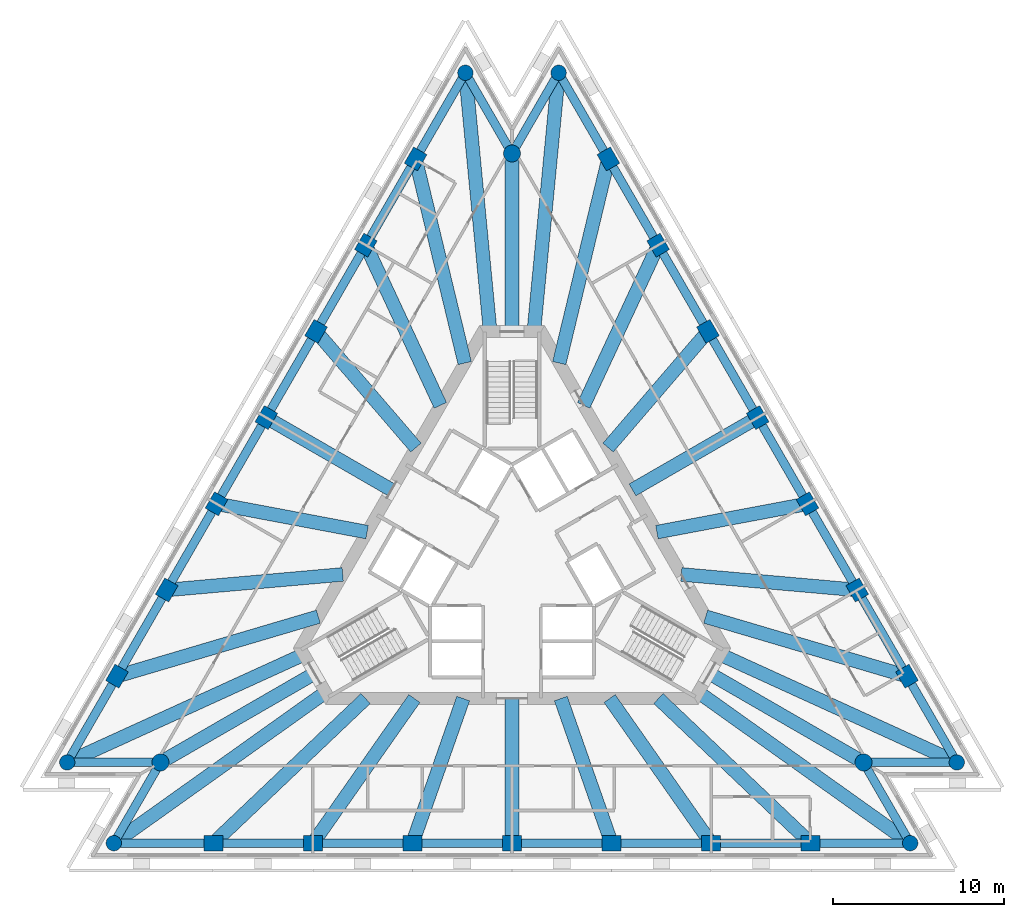
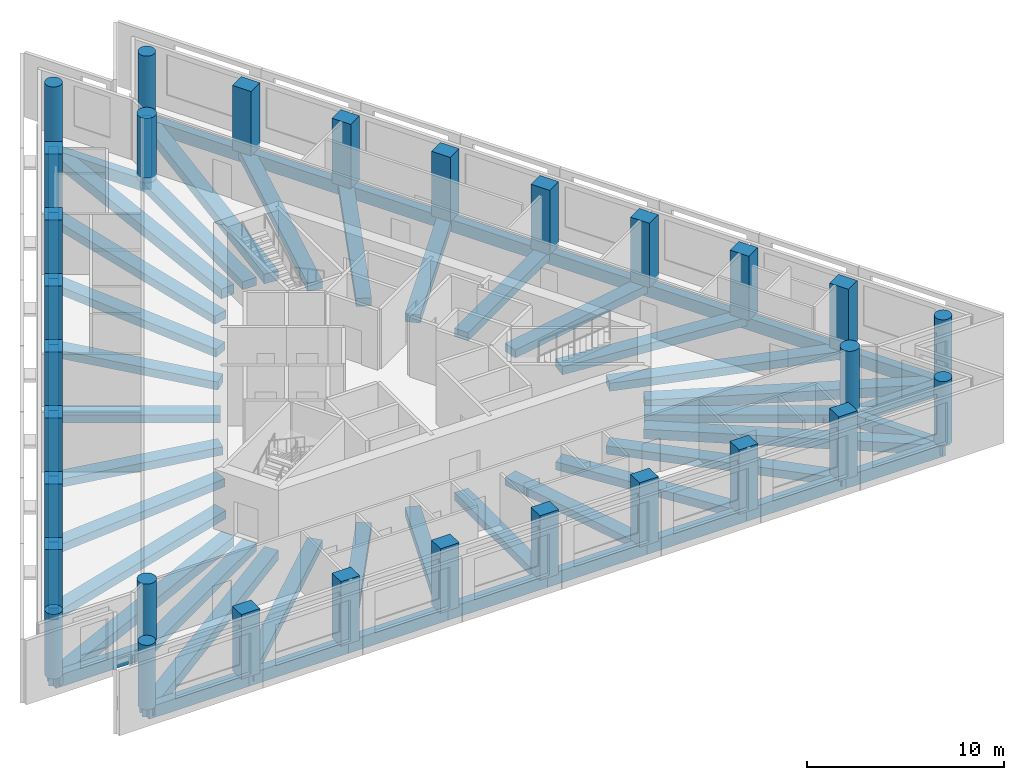
# One storey, part 1 of 10: 60 beams, 30 columns.
"""IFC4 building model written with IfcOpenShell, lengths in metres."""

from ifc_helpers import new_model, si_unit, direction, frame, origin, origin_2d, place, context, subcontext, project, spatial, rectangle, circle, extrude, material, material_profile, profile_set, type_object, element, save


model = new_model("IFC4")

# Units and contexts
model_context = context("Model", 3, precision=1e-05, world=origin(), true_north=direction((0.0, 1.0)))
body_context = subcontext(model_context, "Body", "Model", "MODEL_VIEW")
ifc_project = project(units=[si_unit("LENGTHUNIT", "METRE"), si_unit("AREAUNIT", "SQUARE_METRE"), si_unit("VOLUMEUNIT", "CUBIC_METRE"), si_unit("PLANEANGLEUNIT", "RADIAN"), si_unit("MASSUNIT", "GRAM", prefix="KILO")], contexts=[model_context])

# Site, building, storey
site_placement = place(None, origin())
site = spatial("IfcSite", under=ifc_project, at=site_placement, CompositionType="ELEMENT")
building_placement = place(site_placement, origin())
building = spatial("IfcBuilding", under=site, at=building_placement, Name="Triada Interchange Tower", CompositionType="ELEMENT")
storey_placement = place(building_placement, frame((0.0, 0.0, 243.300048828125)))
storey = spatial("IfcBuildingStorey", under=building, at=storey_placement, Name="L57", CompositionType="ELEMENT", Elevation=243.300048828125)

# Columns
ifc_material = material(Name="Concrete C50/60", Category="concrete")
ifc_material_profile_1 = material_profile(ifc_material, rectangle(XDim=1.10009765625, YDim=0.89990234375, at=origin_2d()), Name="RC 1100x900")
ifc_profile_set_1 = profile_set([ifc_material_profile_1], Name="Concrete C50/60")
column_type_1 = type_object("IfcColumnType", Name="Column C face RC 1100x900", PredefinedType="COLUMN", material=ifc_profile_set_1)
for number, where, z_axis, x_axis, name in (
    (1, (-5.64794921875, 23.466064453125, -0.300048828125), (0.0, 0.0, 1.0), (0.5, 0.866025403784, 0.0), "Column CC02 L57"),
    (2, (-8.56396484375, 18.4140625, -0.300048828125), (0.0, 0.0, 1.0), (0.5, 0.866025403784, 0.0), "Column CC03 L57"),
    (3, (-11.48095703125, 13.363037109375, -0.300048828125), (0.0, 0.0, 1.0), (0.5, 0.866025403784, 0.0), "Column CC04 L57"),
    (4, (-14.39697265625, 8.31201171875, -0.300048828125), (0.0, 0.0, 1.0), (0.5, 0.866025403784, 0.0), "Column CC05 L57"),
    (5, (-17.31298828125, 3.260986328125, -0.300048828125), (0.0, 0.0, 1.0), (0.5, 0.866025403784, 0.0), "Column CC06 L57"),
    (6, (-20.22998046875, -1.7900390625, -0.300048828125), (0.0, 0.0, 1.0), (0.5, 0.866025403784, 0.0), "Column CC07 L57"),
    (7, (-23.14599609375, -6.842041015625, -0.300048828125), (0.0, 0.0, 1.0), (0.5, 0.866025403784, 0.0), "Column CC08 L57"),
    (8, (-17.498046875, -16.6240234375, -0.300048828125), (0.0, 0.0, 1.0), (1.0, 0.0, 0.0), "Column CC11 L57"),
    (9, (-11.6650390625, -16.6240234375, -0.300048828125), (0.0, 0.0, 1.0), (1.0, 0.0, 0.0), "Column CC12 L57"),
    (10, (-5.83203125, -16.6240234375, -0.300048828125), (0.0, 0.0, 1.0), (1.0, 0.0, 0.0), "Column CC13 L57"),
    (11, (0.0, -16.6240234375, -0.300048828125), (0.0, 0.0, 1.0), (1.0, 0.0, 0.0), "Column CC14 L57"),
    (12, (5.83203125, -16.6240234375, -0.300048828125), (0.0, 0.0, 1.0), (1.0, 0.0, 0.0), "Column CC15 L57"),
    (13, (11.6650390625, -16.6240234375, -0.300048828125), (0.0, 0.0, 1.0), (1.0, 0.0, 0.0), "Column CC16 L57"),
    (14, (17.498046875, -16.6240234375, -0.300048828125), (0.0, 0.0, 1.0), (1.0, 0.0, 0.0), "Column CC17 L57"),
    (15, (23.14599609375, -6.842041015625, -0.300048828125), (0.0, 0.0, 1.0), (-0.5, 0.866025403784, 0.0), "Column CC20 L57"),
    (16, (20.22998046875, -1.791015625, -0.300048828125), (0.0, 0.0, 1.0), (-0.5, 0.866025403784, 0.0), "Column CC21 L57"),
    (17, (17.31298828125, 3.260986328125, -0.300048828125), (0.0, 0.0, 1.0), (-0.5, 0.866025403784, 0.0), "Column CC22 L57"),
    (18, (14.39697265625, 8.31201171875, -0.300048828125), (0.0, 0.0, 1.0), (-0.5, 0.866025403784, 0.0), "Column CC23 L57"),
    (19, (11.48095703125, 13.363037109375, -0.300048828125), (0.0, 0.0, 1.0), (-0.5, 0.866025403784, 0.0), "Column CC24 L57"),
    (20, (8.56396484375, 18.4140625, -0.300048828125), (0.0, 0.0, 1.0), (-0.5, 0.866025403784, 0.0), "Column CC25 L57"),
    (21, (5.64794921875, 23.466064453125, -0.300048828125), (0.0, 0.0, 1.0), (-0.5, 0.866025403784, 0.0), "Column CC26 L57"),
):
    element("IfcColumn", number, at=place(storey_placement, frame(where, z_axis=z_axis, x_axis=x_axis)), inside=storey, type_object=column_type_1, Name=name, PredefinedType="COLUMN", context=body_context, shape_type="SweptSolid", body=[
        extrude(rectangle(XDim=1.10009765625, YDim=0.89990234375, at=origin_2d()), origin(), (0.0, 0.0, 1.0), 4.0),
    ])
ifc_material_profile_2 = material_profile(ifc_material, circle(Radius=0.449951171875, at=origin_2d()), Name="RC D900")
ifc_profile_set_2 = profile_set([ifc_material_profile_2], Name="Concrete C50/60")
column_type_2 = type_object("IfcColumnType", Name="End column C RC D900", PredefinedType="COLUMN", material=ifc_profile_set_2)
for number, where, z_axis, x_axis, name in (
    (22, (-2.73193359375, 28.51708984375, -0.300048828125), (0.0, 0.0, 1.0), (0.5, 0.866025403784, 0.0), "Column CC01 L57"),
    (23, (-26.06201171875, -11.89306640625, -0.300048828125), (0.0, 0.0, 1.0), (0.5, 0.866025403784, 0.0), "Column CC09 L57"),
    (24, (-23.330078125, -16.6240234375, -0.300048828125), (0.0, 0.0, 1.0), (1.0, 0.0, 0.0), "Column CC10 L57"),
    (25, (23.330078125, -16.6240234375, -0.300048828125), (0.0, 0.0, 1.0), (1.0, 0.0, 0.0), "Column CC18 L57"),
    (26, (26.06201171875, -11.89306640625, -0.300048828125), (0.0, 0.0, 1.0), (-0.5, 0.866025403784, 0.0), "Column CC19 L57"),
    (27, (2.73193359375, 28.51708984375, -0.300048828125), (0.0, 0.0, 1.0), (-0.5, 0.866025403784, 0.0), "Column CC27 L57"),
):
    element("IfcColumn", number, at=place(storey_placement, frame(where, z_axis=z_axis, x_axis=x_axis)), inside=storey, type_object=column_type_2, Name=name, PredefinedType="COLUMN", context=body_context, shape_type="SweptSolid", body=[
        extrude(circle(Radius=0.449951171875, at=origin_2d()), origin(), (0.0, 0.0, 1.0), 4.0),
    ])
ifc_material_profile_3 = material_profile(ifc_material, circle(Radius=0.5, at=origin_2d()), Name="RC D1000")
ifc_profile_set_3 = profile_set([ifc_material_profile_3], Name="Concrete C50/60")
column_type_3 = type_object("IfcColumnType", Name="Mega column C RC D1000", PredefinedType="COLUMN", material=ifc_profile_set_3)
for number, where, z_axis, x_axis, name in (
    (28, (0.0, 23.784912109375, -0.300048828125), (0.0, 0.0, 1.0), (1.0, 0.0, 0.0), "Column MC1 L57"),
    (29, (-20.597900390625, -11.89306640625, -0.300048828125), (0.0, 0.0, 1.0), (1.0, 0.0, 0.0), "Column MC2 L57"),
    (30, (20.597900390625, -11.89306640625, -0.300048828125), (0.0, 0.0, 1.0), (1.0, 0.0, 0.0), "Column MC3 L57"),
):
    element("IfcColumn", number, at=place(storey_placement, frame(where, z_axis=z_axis, x_axis=x_axis)), inside=storey, type_object=column_type_3, Name=name, PredefinedType="COLUMN", context=body_context, shape_type="SweptSolid", body=[
        extrude(circle(Radius=0.5, at=origin_2d()), origin(), (0.0, 0.0, 1.0), 4.0),
    ])

# Beams
ifc_material_profile_4 = material_profile(ifc_material, rectangle(XDim=0.800048828125, YDim=0.5, at=origin_2d()), Name="RC 800x500")
ifc_profile_set_4 = profile_set([ifc_material_profile_4], Name="Concrete C50/60")
beam_type_1 = type_object("IfcBeamType", Name="Radial band beam C RC 800x500", PredefinedType="BEAM", material=ifc_profile_set_4)
beam_1_placement = place(storey_placement, frame((-5.64794921875, 23.466064453125, -0.550048828125), z_axis=(0.2339868033, -0.972239772835, 0.0), x_axis=(0.972239772835, 0.2339868033, 0.0)))
element("IfcBeam", 31, at=beam_1_placement, inside=storey, type_object=beam_type_1, Name="Radial band beam BC02 L57", PredefinedType="BEAM", context=body_context, shape_type="SweptSolid", body=[
    extrude(rectangle(XDim=0.800048828125, YDim=0.5, at=origin_2d()), origin(), (0.0, 0.0, 1.0), 12.3037109375),
])
beam_2_placement = place(storey_placement, frame((-8.56396484375, 18.4140625, -0.550048828125), z_axis=(0.421684301866, -0.906742714092, 0.0), x_axis=(0.906742714092, 0.421684301866, 0.0)))
element("IfcBeam", 32, at=beam_2_placement, inside=storey, type_object=beam_type_1, Name="Radial band beam BC03 L57", PredefinedType="BEAM", context=body_context, shape_type="SweptSolid", body=[
    extrude(rectangle(XDim=0.800048828125, YDim=0.5, at=origin_2d()), origin(), (0.0, 0.0, 1.0), 10.351318359375),
])
beam_3_placement = place(storey_placement, frame((-11.48095703125, 13.363037109375, -0.550048828125), z_axis=(0.651699799065, -0.758477008155, 0.0), x_axis=(0.758477008155, 0.651699799065, 0.0)))
element("IfcBeam", 33, at=beam_3_placement, inside=storey, type_object=beam_type_1, Name="Radial band beam BC04 L57", PredefinedType="BEAM", context=body_context, shape_type="SweptSolid", body=[
    extrude(rectangle(XDim=0.800048828125, YDim=0.5, at=origin_2d()), origin(), (0.0, 0.0, 1.0), 8.981201171875),
])
beam_4_placement = place(storey_placement, frame((-14.39697265625, 8.31201171875, -0.550048828125), z_axis=(0.866027263711, -0.4999967785, 0.0), x_axis=(0.4999967785, 0.866027263711, 0.0)))
element("IfcBeam", 34, at=beam_4_placement, inside=storey, type_object=beam_type_1, Name="Radial band beam BC05 L57", PredefinedType="BEAM", context=body_context, shape_type="SweptSolid", body=[
    extrude(rectangle(XDim=0.800048828125, YDim=0.5, at=origin_2d()), origin(), (0.0, 0.0, 1.0), 8.47412109375),
])
beam_5_placement = place(storey_placement, frame((-17.31298828125, 3.260986328125, -0.550048828125), z_axis=(0.982726919952, -0.185061613526, 0.0), x_axis=(0.185061613526, 0.982726919952, 0.0)))
element("IfcBeam", 35, at=beam_5_placement, inside=storey, type_object=beam_type_1, Name="Radial band beam BC06 L57", PredefinedType="BEAM", context=body_context, shape_type="SweptSolid", body=[
    extrude(rectangle(XDim=0.800048828125, YDim=0.5, at=origin_2d()), origin(), (0.0, 0.0, 1.0), 8.97998046875),
])
beam_6_placement = place(storey_placement, frame((-20.22998046875, -1.7900390625, -0.550048828125), z_axis=(0.996111733223, 0.088098892934, 0.0), x_axis=(-0.088098892934, 0.996111733223, 0.0)))
element("IfcBeam", 36, at=beam_6_placement, inside=storey, type_object=beam_type_1, Name="Radial band beam BC07 L57", PredefinedType="BEAM", context=body_context, shape_type="SweptSolid", body=[
    extrude(rectangle(XDim=0.800048828125, YDim=0.5, at=origin_2d()), origin(), (0.0, 0.0, 1.0), 10.353271484375),
])
beam_7_placement = place(storey_placement, frame((-23.14599609375, -6.842041015625, -0.550048828125), z_axis=(0.95897468421, 0.283491719533, 0.0), x_axis=(-0.283491719533, 0.95897468421, 0.0)))
element("IfcBeam", 37, at=beam_7_placement, inside=storey, type_object=beam_type_1, Name="Radial band beam BC08 L57", PredefinedType="BEAM", context=body_context, shape_type="SweptSolid", body=[
    extrude(rectangle(XDim=0.800048828125, YDim=0.5, at=origin_2d()), origin(), (0.0, 0.0, 1.0), 12.303955078125),
])
beam_8_placement = place(storey_placement, frame((-20.597900390625, -11.89306640625, -0.550048828125), z_axis=(0.866001293771, 0.500041757443, 0.0), x_axis=(-0.500041757443, 0.866001293771, 0.0)))
element("IfcBeam", 38, at=beam_8_placement, inside=storey, type_object=beam_type_1, Name="Radial band beam BC10 L57", PredefinedType="BEAM", context=body_context, shape_type="SweptSolid", body=[
    extrude(rectangle(XDim=0.800048828125, YDim=0.5, at=origin_2d()), origin(), (0.0, 0.0, 1.0), 10.43505859375),
])
beam_9_placement = place(storey_placement, frame((-17.498046875, -16.6240234375, -0.550048828125), z_axis=(0.725000919856, 0.688747897425, 0.0), x_axis=(-0.688747897425, 0.725000919856, 0.0)))
element("IfcBeam", 39, at=beam_9_placement, inside=storey, type_object=beam_type_1, Name="Radial band beam BC12 L57", PredefinedType="BEAM", context=body_context, shape_type="SweptSolid", body=[
    extrude(rectangle(XDim=0.800048828125, YDim=0.5, at=origin_2d()), origin(), (0.0, 0.0, 1.0), 12.3037109375),
])
beam_10_placement = place(storey_placement, frame((-11.6650390625, -16.6240234375, -0.550048828125), z_axis=(0.574380005921, 0.818588791029, 0.0), x_axis=(-0.818588791029, 0.574380005921, 0.0)))
element("IfcBeam", 40, at=beam_10_placement, inside=storey, type_object=beam_type_1, Name="Radial band beam BC13 L57", PredefinedType="BEAM", context=body_context, shape_type="SweptSolid", body=[
    extrude(rectangle(XDim=0.800048828125, YDim=0.5, at=origin_2d()), origin(), (0.0, 0.0, 1.0), 10.35205078125),
])
beam_11_placement = place(storey_placement, frame((-5.83203125, -16.6240234375, -0.550048828125), z_axis=(0.331064781468, 0.943608027982, 0.0), x_axis=(-0.943608027982, 0.331064781468, 0.0)))
element("IfcBeam", 41, at=beam_11_placement, inside=storey, type_object=beam_type_1, Name="Radial band beam BC14 L57", PredefinedType="BEAM", context=body_context, shape_type="SweptSolid", body=[
    extrude(rectangle(XDim=0.800048828125, YDim=0.5, at=origin_2d()), origin(), (0.0, 0.0, 1.0), 8.98046875),
])
beam_12_placement = place(storey_placement, frame((0.0, -16.6240234375, -0.550048828125), z_axis=(0.0, 1.0, 0.0), x_axis=(-1.0, 0.0, 0.0)))
element("IfcBeam", 42, at=beam_12_placement, inside=storey, type_object=beam_type_1, Name="Radial band beam BC15 L57", PredefinedType="BEAM", context=body_context, shape_type="SweptSolid", body=[
    extrude(rectangle(XDim=0.800048828125, YDim=0.5, at=origin_2d()), origin(), (0.0, 0.0, 1.0), 8.47412109375),
])
beam_13_placement = place(storey_placement, frame((5.83203125, -16.6240234375, -0.550048828125), z_axis=(-0.331064781468, 0.943608027982, 0.0), x_axis=(-0.943608027982, -0.331064781468, 0.0)))
element("IfcBeam", 43, at=beam_13_placement, inside=storey, type_object=beam_type_1, Name="Radial band beam BC16 L57", PredefinedType="BEAM", context=body_context, shape_type="SweptSolid", body=[
    extrude(rectangle(XDim=0.800048828125, YDim=0.5, at=origin_2d()), origin(), (0.0, 0.0, 1.0), 8.98046875),
])
beam_14_placement = place(storey_placement, frame((11.6650390625, -16.6240234375, -0.550048828125), z_axis=(-0.574380005921, 0.818588791029, 0.0), x_axis=(-0.818588791029, -0.574380005921, 0.0)))
element("IfcBeam", 44, at=beam_14_placement, inside=storey, type_object=beam_type_1, Name="Radial band beam BC17 L57", PredefinedType="BEAM", context=body_context, shape_type="SweptSolid", body=[
    extrude(rectangle(XDim=0.800048828125, YDim=0.5, at=origin_2d()), origin(), (0.0, 0.0, 1.0), 10.35205078125),
])
beam_15_placement = place(storey_placement, frame((17.498046875, -16.6240234375, -0.550048828125), z_axis=(-0.725000919856, 0.688747897425, 0.0), x_axis=(-0.688747897425, -0.725000919856, 0.0)))
element("IfcBeam", 45, at=beam_15_placement, inside=storey, type_object=beam_type_1, Name="Radial band beam BC18 L57", PredefinedType="BEAM", context=body_context, shape_type="SweptSolid", body=[
    extrude(rectangle(XDim=0.800048828125, YDim=0.5, at=origin_2d()), origin(), (0.0, 0.0, 1.0), 12.3037109375),
])
beam_16_placement = place(storey_placement, frame((20.597900390625, -11.89306640625, -0.550048828125), z_axis=(-0.866001293771, 0.500041757443, 0.0), x_axis=(-0.500041757443, -0.866001293771, 0.0)))
element("IfcBeam", 46, at=beam_16_placement, inside=storey, type_object=beam_type_1, Name="Radial band beam BC20 L57", PredefinedType="BEAM", context=body_context, shape_type="SweptSolid", body=[
    extrude(rectangle(XDim=0.800048828125, YDim=0.5, at=origin_2d()), origin(), (0.0, 0.0, 1.0), 10.43505859375),
])
beam_17_placement = place(storey_placement, frame((23.14599609375, -6.842041015625, -0.550048828125), z_axis=(-0.95897468421, 0.283491719533, 0.0), x_axis=(-0.283491719533, -0.95897468421, 0.0)))
element("IfcBeam", 47, at=beam_17_placement, inside=storey, type_object=beam_type_1, Name="Radial band beam BC22 L57", PredefinedType="BEAM", context=body_context, shape_type="SweptSolid", body=[
    extrude(rectangle(XDim=0.800048828125, YDim=0.5, at=origin_2d()), origin(), (0.0, 0.0, 1.0), 12.303955078125),
])
beam_18_placement = place(storey_placement, frame((20.22998046875, -1.791015625, -0.550048828125), z_axis=(-0.996102717596, 0.08820077096, 0.0), x_axis=(-0.08820077096, -0.996102717596, 0.0)))
element("IfcBeam", 48, at=beam_18_placement, inside=storey, type_object=beam_type_1, Name="Radial band beam BC23 L57", PredefinedType="BEAM", context=body_context, shape_type="SweptSolid", body=[
    extrude(rectangle(XDim=0.800048828125, YDim=0.5, at=origin_2d()), origin(), (0.0, 0.0, 1.0), 10.352294921875),
])
beam_19_placement = place(storey_placement, frame((17.31298828125, 3.260986328125, -0.550048828125), z_axis=(-0.982726919952, -0.185061613526, 0.0), x_axis=(0.185061613526, -0.982726919952, 0.0)))
element("IfcBeam", 49, at=beam_19_placement, inside=storey, type_object=beam_type_1, Name="Radial band beam BC24 L57", PredefinedType="BEAM", context=body_context, shape_type="SweptSolid", body=[
    extrude(rectangle(XDim=0.800048828125, YDim=0.5, at=origin_2d()), origin(), (0.0, 0.0, 1.0), 8.97998046875),
])
beam_20_placement = place(storey_placement, frame((14.39697265625, 8.31201171875, -0.550048828125), z_axis=(-0.866027263711, -0.4999967785, 0.0), x_axis=(0.4999967785, -0.866027263711, 0.0)))
element("IfcBeam", 50, at=beam_20_placement, inside=storey, type_object=beam_type_1, Name="Radial band beam BC25 L57", PredefinedType="BEAM", context=body_context, shape_type="SweptSolid", body=[
    extrude(rectangle(XDim=0.800048828125, YDim=0.5, at=origin_2d()), origin(), (0.0, 0.0, 1.0), 8.47412109375),
])
beam_21_placement = place(storey_placement, frame((11.48095703125, 13.363037109375, -0.550048828125), z_axis=(-0.651699799065, -0.758477008155, 0.0), x_axis=(0.758477008155, -0.651699799065, 0.0)))
element("IfcBeam", 51, at=beam_21_placement, inside=storey, type_object=beam_type_1, Name="Radial band beam BC26 L57", PredefinedType="BEAM", context=body_context, shape_type="SweptSolid", body=[
    extrude(rectangle(XDim=0.800048828125, YDim=0.5, at=origin_2d()), origin(), (0.0, 0.0, 1.0), 8.981201171875),
])
beam_22_placement = place(storey_placement, frame((8.56396484375, 18.4140625, -0.550048828125), z_axis=(-0.421684301866, -0.906742714092, 0.0), x_axis=(0.906742714092, -0.421684301866, 0.0)))
element("IfcBeam", 52, at=beam_22_placement, inside=storey, type_object=beam_type_1, Name="Radial band beam BC27 L57", PredefinedType="BEAM", context=body_context, shape_type="SweptSolid", body=[
    extrude(rectangle(XDim=0.800048828125, YDim=0.5, at=origin_2d()), origin(), (0.0, 0.0, 1.0), 10.351318359375),
])
beam_23_placement = place(storey_placement, frame((5.64794921875, 23.466064453125, -0.550048828125), z_axis=(-0.2339868033, -0.972239772835, 0.0), x_axis=(0.972239772835, -0.2339868033, 0.0)))
element("IfcBeam", 53, at=beam_23_placement, inside=storey, type_object=beam_type_1, Name="Radial band beam BC28 L57", PredefinedType="BEAM", context=body_context, shape_type="SweptSolid", body=[
    extrude(rectangle(XDim=0.800048828125, YDim=0.5, at=origin_2d()), origin(), (0.0, 0.0, 1.0), 12.3037109375),
])
beam_24_placement = place(storey_placement, frame((0.0, 23.784912109375, -0.550048828125), z_axis=(0.0, -1.0, 0.0), x_axis=(1.0, 0.0, 0.0)))
element("IfcBeam", 54, at=beam_24_placement, inside=storey, type_object=beam_type_1, Name="Radial band beam BC30 L57", PredefinedType="BEAM", context=body_context, shape_type="SweptSolid", body=[
    extrude(rectangle(XDim=0.800048828125, YDim=0.5, at=origin_2d()), origin(), (0.0, 0.0, 1.0), 10.434814453125),
])
ifc_material_profile_5 = material_profile(ifc_material, rectangle(XDim=0.800048828125, YDim=0.60009765625, at=origin_2d()), Name="RC 800x600")
ifc_profile_set_5 = profile_set([ifc_material_profile_5], Name="Concrete C50/60")
beam_type_2 = type_object("IfcBeamType", Name="Radial band beam C RC 800x600", PredefinedType="BEAM", material=ifc_profile_set_5)
beam_25_placement = place(storey_placement, frame((-2.73193359375, 28.51708984375, -0.60009765625), z_axis=(0.095355785386, -0.995443255135, 0.0), x_axis=(0.995443255135, 0.095355785386, 0.0)))
element("IfcBeam", 55, at=beam_25_placement, inside=storey, type_object=beam_type_2, Name="Radial band beam BC01 L57", PredefinedType="BEAM", context=body_context, shape_type="SweptSolid", body=[
    extrude(rectangle(XDim=0.800048828125, YDim=0.60009765625, at=origin_2d()), origin(), (0.0, 0.0, 1.0), 15.236328125),
])
beam_26_placement = place(storey_placement, frame((-26.06201171875, -11.89306640625, -0.60009765625), z_axis=(0.909760765154, 0.415132930742, 0.0), x_axis=(-0.415132930742, 0.909760765154, 0.0)))
element("IfcBeam", 56, at=beam_26_placement, inside=storey, type_object=beam_type_2, Name="Radial band beam BC09 L57", PredefinedType="BEAM", context=body_context, shape_type="SweptSolid", body=[
    extrude(rectangle(XDim=0.800048828125, YDim=0.60009765625, at=origin_2d()), origin(), (0.0, 0.0, 1.0), 15.236083984375),
])
for number, where, z_axis, x_axis, name in (
    (57, (-23.330078125, -16.6240234375, -0.60009765625), (0.814408545207, 0.58029192782, 0.0), (-0.58029192782, 0.814408545207, 0.0), "Radial band beam BC11 L57"),
    (58, (23.330078125, -16.6240234375, -0.60009765625), (-0.814408545207, 0.58029192782, 0.0), (-0.58029192782, -0.814408545207, 0.0), "Radial band beam BC19 L57"),
):
    element("IfcBeam", number, at=place(storey_placement, frame(where, z_axis=z_axis, x_axis=x_axis)), inside=storey, type_object=beam_type_2, Name=name, PredefinedType="BEAM", context=body_context, shape_type="SweptSolid", body=[
        extrude(rectangle(XDim=0.800048828125, YDim=0.60009765625, at=origin_2d()), origin(), (0.0, 0.0, 1.0), 15.235595703125),
    ])
beam_27_placement = place(storey_placement, frame((26.06201171875, -11.89306640625, -0.60009765625), z_axis=(-0.909760765154, 0.415132930742, 0.0), x_axis=(-0.415132930742, -0.909760765154, 0.0)))
element("IfcBeam", 59, at=beam_27_placement, inside=storey, type_object=beam_type_2, Name="Radial band beam BC21 L57", PredefinedType="BEAM", context=body_context, shape_type="SweptSolid", body=[
    extrude(rectangle(XDim=0.800048828125, YDim=0.60009765625, at=origin_2d()), origin(), (0.0, 0.0, 1.0), 15.236083984375),
])
beam_28_placement = place(storey_placement, frame((2.73193359375, 28.51708984375, -0.60009765625), z_axis=(-0.095355785386, -0.995443255135, 0.0), x_axis=(0.995443255135, -0.095355785386, 0.0)))
element("IfcBeam", 60, at=beam_28_placement, inside=storey, type_object=beam_type_2, Name="Radial band beam BC29 L57", PredefinedType="BEAM", context=body_context, shape_type="SweptSolid", body=[
    extrude(rectangle(XDim=0.800048828125, YDim=0.60009765625, at=origin_2d()), origin(), (0.0, 0.0, 1.0), 15.236328125),
])
ifc_material_profile_6 = material_profile(ifc_material, rectangle(XDim=0.5, YDim=0.75, at=origin_2d()), Name="RC 500x750")
ifc_profile_set_6 = profile_set([ifc_material_profile_6], Name="Concrete C50/60")
beam_type_3 = type_object("IfcBeamType", Name="Spandrel beam C RC 500x750", PredefinedType="BEAM", material=ifc_profile_set_6)
beam_29_placement = place(storey_placement, frame((-2.73193359375, 28.51708984375, -0.675048828125), z_axis=(-0.499974892651, -0.866039899034, 0.0), x_axis=(0.866039899034, -0.499974892651, 0.0)))
element("IfcBeam", 61, at=beam_29_placement, inside=storey, type_object=beam_type_3, Name="Spandrel beam EC01 L57", PredefinedType="BEAM", context=body_context, shape_type="SweptSolid", body=[
    extrude(rectangle(XDim=0.5, YDim=0.75, at=origin_2d()), origin(), (0.0, 0.0, 1.0), 5.832275390625),
])
beam_30_placement = place(storey_placement, frame((-5.64794921875, 23.466064453125, -0.675048828125), z_axis=(-0.49990240033, -0.866081745648, 0.0), x_axis=(0.866081745648, -0.49990240033, 0.0)))
element("IfcBeam", 62, at=beam_30_placement, inside=storey, type_object=beam_type_3, Name="Spandrel beam EC02 L57", PredefinedType="BEAM", context=body_context, shape_type="SweptSolid", body=[
    extrude(rectangle(XDim=0.5, YDim=0.75, at=origin_2d()), origin(), (0.0, 0.0, 1.0), 5.833251953125),
])
beam_31_placement = place(storey_placement, frame((-8.56396484375, 18.4140625, -0.675048828125), z_axis=(-0.500100460847, -0.865967394917, 0.0), x_axis=(0.865967394917, -0.500100460847, 0.0)))
element("IfcBeam", 63, at=beam_31_placement, inside=storey, type_object=beam_type_3, Name="Spandrel beam EC03 L57", PredefinedType="BEAM", context=body_context, shape_type="SweptSolid", body=[
    extrude(rectangle(XDim=0.5, YDim=0.75, at=origin_2d()), origin(), (0.0, 0.0, 1.0), 5.832763671875),
])
for number, where, z_axis, x_axis, name in (
    (64, (-11.48095703125, 13.363037109375, -0.675048828125), (-0.499974892651, -0.866039899034, 0.0), (0.866039899034, -0.499974892651, 0.0), "Spandrel beam EC04 L57"),
    (65, (-14.39697265625, 8.31201171875, -0.675048828125), (-0.499974892651, -0.866039899034, 0.0), (0.866039899034, -0.499974892651, 0.0), "Spandrel beam EC05 L57"),
):
    element("IfcBeam", number, at=place(storey_placement, frame(where, z_axis=z_axis, x_axis=x_axis)), inside=storey, type_object=beam_type_3, Name=name, PredefinedType="BEAM", context=body_context, shape_type="SweptSolid", body=[
        extrude(rectangle(XDim=0.5, YDim=0.75, at=origin_2d()), origin(), (0.0, 0.0, 1.0), 5.832275390625),
    ])
beam_32_placement = place(storey_placement, frame((-17.31298828125, 3.260986328125, -0.675048828125), z_axis=(-0.500100460847, -0.865967394917, 0.0), x_axis=(0.865967394917, -0.500100460847, 0.0)))
element("IfcBeam", 66, at=beam_32_placement, inside=storey, type_object=beam_type_3, Name="Spandrel beam EC06 L57", PredefinedType="BEAM", context=body_context, shape_type="SweptSolid", body=[
    extrude(rectangle(XDim=0.5, YDim=0.75, at=origin_2d()), origin(), (0.0, 0.0, 1.0), 5.832763671875),
])
beam_33_placement = place(storey_placement, frame((-20.22998046875, -1.7900390625, -0.675048828125), z_axis=(-0.49990240033, -0.866081745648, 0.0), x_axis=(0.866081745648, -0.49990240033, 0.0)))
element("IfcBeam", 67, at=beam_33_placement, inside=storey, type_object=beam_type_3, Name="Spandrel beam EC07 L57", PredefinedType="BEAM", context=body_context, shape_type="SweptSolid", body=[
    extrude(rectangle(XDim=0.5, YDim=0.75, at=origin_2d()), origin(), (0.0, 0.0, 1.0), 5.833251953125),
])
beam_34_placement = place(storey_placement, frame((-23.14599609375, -6.842041015625, -0.675048828125), z_axis=(-0.499974892651, -0.866039899034, 0.0), x_axis=(0.866039899034, -0.499974892651, 0.0)))
element("IfcBeam", 68, at=beam_34_placement, inside=storey, type_object=beam_type_3, Name="Spandrel beam EC08 L57", PredefinedType="BEAM", context=body_context, shape_type="SweptSolid", body=[
    extrude(rectangle(XDim=0.5, YDim=0.75, at=origin_2d()), origin(), (0.0, 0.0, 1.0), 5.832275390625),
])
beam_35_placement = place(storey_placement, frame((-26.06201171875, -11.89306640625, -0.675048828125), z_axis=(1.0, 0.0, 0.0), x_axis=(0.0, 1.0, 0.0)))
element("IfcBeam", 69, at=beam_35_placement, inside=storey, type_object=beam_type_3, Name="Spandrel beam EC09 L57", PredefinedType="BEAM", context=body_context, shape_type="SweptSolid", body=[
    extrude(rectangle(XDim=0.5, YDim=0.75, at=origin_2d()), origin(), (0.0, 0.0, 1.0), 5.464111328125),
])
beam_36_placement = place(storey_placement, frame((-20.597900390625, -11.89306640625, -0.675048828125), z_axis=(-0.500104113439, -0.865965285517, 0.0), x_axis=(0.865965285517, -0.500104113439, 0.0)))
element("IfcBeam", 70, at=beam_36_placement, inside=storey, type_object=beam_type_3, Name="Spandrel beam EC10 L57", PredefinedType="BEAM", context=body_context, shape_type="SweptSolid", body=[
    extrude(rectangle(XDim=0.5, YDim=0.75, at=origin_2d()), origin(), (0.0, 0.0, 1.0), 5.463134765625),
])
beam_37_placement = place(storey_placement, frame((-23.330078125, -16.6240234375, -0.675048828125), z_axis=(1.0, 0.0, 0.0), x_axis=(0.0, 1.0, 0.0)))
element("IfcBeam", 71, at=beam_37_placement, inside=storey, type_object=beam_type_3, Name="Spandrel beam EC11 L57", PredefinedType="BEAM", context=body_context, shape_type="SweptSolid", body=[
    extrude(rectangle(XDim=0.5, YDim=0.75, at=origin_2d()), origin(), (0.0, 0.0, 1.0), 5.83203125),
])
for number, where, z_axis, x_axis, name in (
    (72, (-17.498046875, -16.6240234375, -0.675048828125), (1.0, 0.0, 0.0), (0.0, 1.0, 0.0), "Spandrel beam EC12 L57"),
    (73, (-11.6650390625, -16.6240234375, -0.675048828125), (1.0, 0.0, 0.0), (0.0, 1.0, 0.0), "Spandrel beam EC13 L57"),
):
    element("IfcBeam", number, at=place(storey_placement, frame(where, z_axis=z_axis, x_axis=x_axis)), inside=storey, type_object=beam_type_3, Name=name, PredefinedType="BEAM", context=body_context, shape_type="SweptSolid", body=[
        extrude(rectangle(XDim=0.5, YDim=0.75, at=origin_2d()), origin(), (0.0, 0.0, 1.0), 5.8330078125),
    ])
for number, where, z_axis, x_axis, name in (
    (74, (-5.83203125, -16.6240234375, -0.675048828125), (1.0, 0.0, 0.0), (0.0, 1.0, 0.0), "Spandrel beam EC14 L57"),
    (75, (0.0, -16.6240234375, -0.675048828125), (1.0, 0.0, 0.0), (0.0, 1.0, 0.0), "Spandrel beam EC15 L57"),
):
    element("IfcBeam", number, at=place(storey_placement, frame(where, z_axis=z_axis, x_axis=x_axis)), inside=storey, type_object=beam_type_3, Name=name, PredefinedType="BEAM", context=body_context, shape_type="SweptSolid", body=[
        extrude(rectangle(XDim=0.5, YDim=0.75, at=origin_2d()), origin(), (0.0, 0.0, 1.0), 5.83203125),
    ])
for number, where, z_axis, x_axis, name in (
    (76, (5.83203125, -16.6240234375, -0.675048828125), (1.0, 0.0, 0.0), (0.0, 1.0, 0.0), "Spandrel beam EC16 L57"),
    (77, (11.6650390625, -16.6240234375, -0.675048828125), (1.0, 0.0, 0.0), (0.0, 1.0, 0.0), "Spandrel beam EC17 L57"),
):
    element("IfcBeam", number, at=place(storey_placement, frame(where, z_axis=z_axis, x_axis=x_axis)), inside=storey, type_object=beam_type_3, Name=name, PredefinedType="BEAM", context=body_context, shape_type="SweptSolid", body=[
        extrude(rectangle(XDim=0.5, YDim=0.75, at=origin_2d()), origin(), (0.0, 0.0, 1.0), 5.8330078125),
    ])
beam_38_placement = place(storey_placement, frame((17.498046875, -16.6240234375, -0.675048828125), z_axis=(1.0, 0.0, 0.0), x_axis=(0.0, 1.0, 0.0)))
element("IfcBeam", 78, at=beam_38_placement, inside=storey, type_object=beam_type_3, Name="Spandrel beam EC18 L57", PredefinedType="BEAM", context=body_context, shape_type="SweptSolid", body=[
    extrude(rectangle(XDim=0.5, YDim=0.75, at=origin_2d()), origin(), (0.0, 0.0, 1.0), 5.83203125),
])
beam_39_placement = place(storey_placement, frame((23.330078125, -16.6240234375, -0.675048828125), z_axis=(-0.500104113439, 0.865965285517, 0.0), x_axis=(-0.865965285517, -0.500104113439, 0.0)))
element("IfcBeam", 79, at=beam_39_placement, inside=storey, type_object=beam_type_3, Name="Spandrel beam EC19 L57", PredefinedType="BEAM", context=body_context, shape_type="SweptSolid", body=[
    extrude(rectangle(XDim=0.5, YDim=0.75, at=origin_2d()), origin(), (0.0, 0.0, 1.0), 5.463134765625),
])
beam_40_placement = place(storey_placement, frame((20.597900390625, -11.89306640625, -0.675048828125), z_axis=(1.0, 0.0, 0.0), x_axis=(0.0, 1.0, 0.0)))
element("IfcBeam", 80, at=beam_40_placement, inside=storey, type_object=beam_type_3, Name="Spandrel beam EC20 L57", PredefinedType="BEAM", context=body_context, shape_type="SweptSolid", body=[
    extrude(rectangle(XDim=0.5, YDim=0.75, at=origin_2d()), origin(), (0.0, 0.0, 1.0), 5.464111328125),
])
for number, where, z_axis, x_axis, name in (
    (81, (26.06201171875, -11.89306640625, -0.675048828125), (-0.499974892651, 0.866039899034, 0.0), (-0.866039899034, -0.499974892651, 0.0), "Spandrel beam EC21 L57"),
    (82, (23.14599609375, -6.842041015625, -0.675048828125), (-0.499974892651, 0.866039899034, 0.0), (-0.866039899034, -0.499974892651, 0.0), "Spandrel beam EC22 L57"),
):
    element("IfcBeam", number, at=place(storey_placement, frame(where, z_axis=z_axis, x_axis=x_axis)), inside=storey, type_object=beam_type_3, Name=name, PredefinedType="BEAM", context=body_context, shape_type="SweptSolid", body=[
        extrude(rectangle(XDim=0.5, YDim=0.75, at=origin_2d()), origin(), (0.0, 0.0, 1.0), 5.832275390625),
    ])
beam_41_placement = place(storey_placement, frame((20.22998046875, -1.791015625, -0.675048828125), z_axis=(-0.500027962457, 0.86600925905, 0.0), x_axis=(-0.86600925905, -0.500027962457, 0.0)))
element("IfcBeam", 83, at=beam_41_placement, inside=storey, type_object=beam_type_3, Name="Spandrel beam EC23 L57", PredefinedType="BEAM", context=body_context, shape_type="SweptSolid", body=[
    extrude(rectangle(XDim=0.5, YDim=0.75, at=origin_2d()), origin(), (0.0, 0.0, 1.0), 5.833740234375),
])
for number, where, z_axis, x_axis, name in (
    (84, (17.31298828125, 3.260986328125, -0.675048828125), (-0.499974892651, 0.866039899034, 0.0), (-0.866039899034, -0.499974892651, 0.0), "Spandrel beam EC24 L57"),
    (85, (14.39697265625, 8.31201171875, -0.675048828125), (-0.499974892651, 0.866039899034, 0.0), (-0.866039899034, -0.499974892651, 0.0), "Spandrel beam EC25 L57"),
):
    element("IfcBeam", number, at=place(storey_placement, frame(where, z_axis=z_axis, x_axis=x_axis)), inside=storey, type_object=beam_type_3, Name=name, PredefinedType="BEAM", context=body_context, shape_type="SweptSolid", body=[
        extrude(rectangle(XDim=0.5, YDim=0.75, at=origin_2d()), origin(), (0.0, 0.0, 1.0), 5.832275390625),
    ])
beam_42_placement = place(storey_placement, frame((11.48095703125, 13.363037109375, -0.675048828125), z_axis=(-0.500100460847, 0.865967394917, 0.0), x_axis=(-0.865967394917, -0.500100460847, 0.0)))
element("IfcBeam", 86, at=beam_42_placement, inside=storey, type_object=beam_type_3, Name="Spandrel beam EC26 L57", PredefinedType="BEAM", context=body_context, shape_type="SweptSolid", body=[
    extrude(rectangle(XDim=0.5, YDim=0.75, at=origin_2d()), origin(), (0.0, 0.0, 1.0), 5.832763671875),
])
beam_43_placement = place(storey_placement, frame((8.56396484375, 18.4140625, -0.675048828125), z_axis=(-0.49990240033, 0.866081745648, 0.0), x_axis=(-0.866081745648, -0.49990240033, 0.0)))
element("IfcBeam", 87, at=beam_43_placement, inside=storey, type_object=beam_type_3, Name="Spandrel beam EC27 L57", PredefinedType="BEAM", context=body_context, shape_type="SweptSolid", body=[
    extrude(rectangle(XDim=0.5, YDim=0.75, at=origin_2d()), origin(), (0.0, 0.0, 1.0), 5.833251953125),
])
beam_44_placement = place(storey_placement, frame((5.64794921875, 23.466064453125, -0.675048828125), z_axis=(-0.499974892651, 0.866039899034, 0.0), x_axis=(-0.866039899034, -0.499974892651, 0.0)))
element("IfcBeam", 88, at=beam_44_placement, inside=storey, type_object=beam_type_3, Name="Spandrel beam EC28 L57", PredefinedType="BEAM", context=body_context, shape_type="SweptSolid", body=[
    extrude(rectangle(XDim=0.5, YDim=0.75, at=origin_2d()), origin(), (0.0, 0.0, 1.0), 5.832275390625),
])
for number, where, z_axis, x_axis, name in (
    (89, (2.73193359375, 28.51708984375, -0.675048828125), (-0.499973852758, -0.866040499375, 0.0), (0.866040499375, -0.499973852758, 0.0), "Spandrel beam EC29 L57"),
    (90, (0.0, 23.784912109375, -0.675048828125), (-0.499973852758, 0.866040499375, 0.0), (-0.866040499375, -0.499973852758, 0.0), "Spandrel beam EC30 L57"),
):
    element("IfcBeam", number, at=place(storey_placement, frame(where, z_axis=z_axis, x_axis=x_axis)), inside=storey, type_object=beam_type_3, Name=name, PredefinedType="BEAM", context=body_context, shape_type="SweptSolid", body=[
        extrude(rectangle(XDim=0.5, YDim=0.75, at=origin_2d()), origin(), (0.0, 0.0, 1.0), 5.464111328125),
    ])

save(model, "model.ifc")
